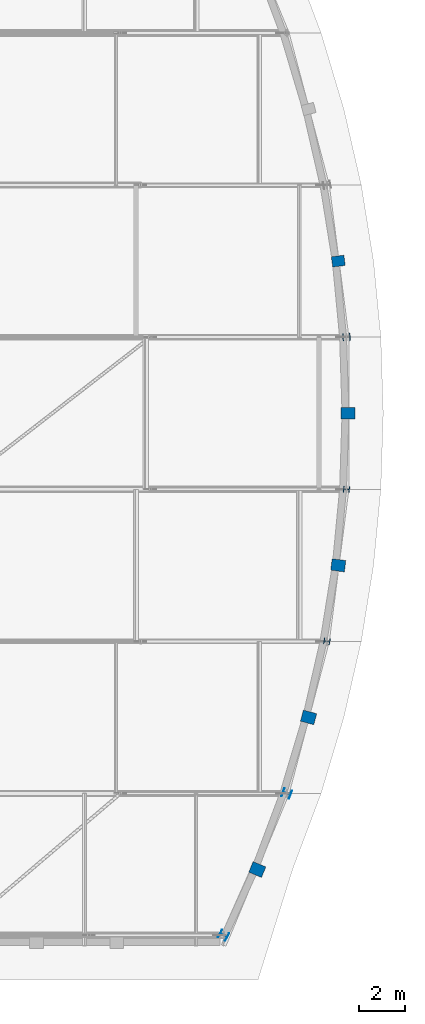
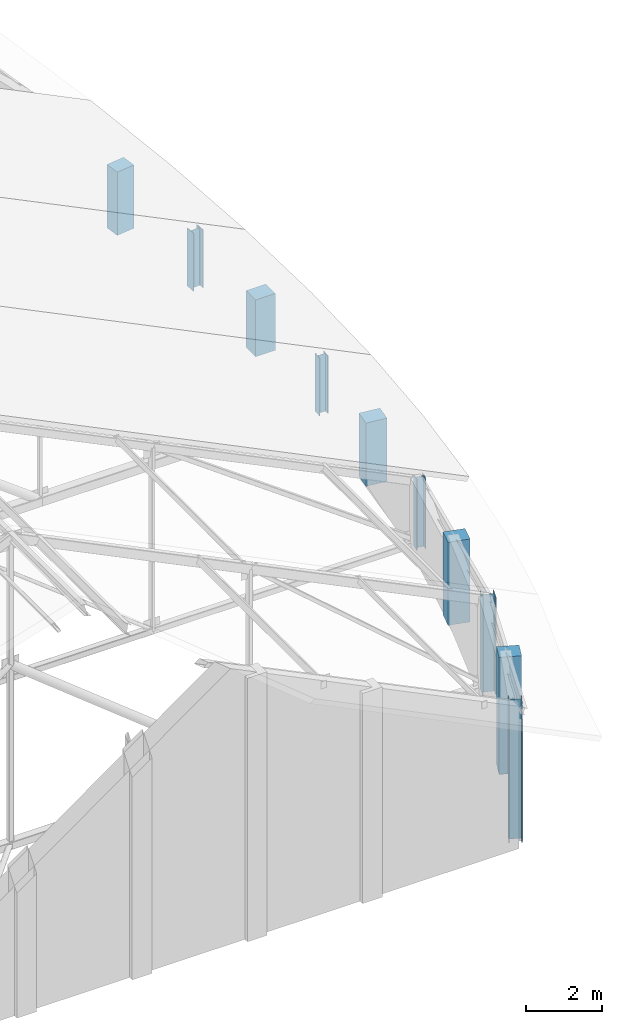
# One storey, part 11 of 78: 10 columns.
"""IFC4 building model written with IfcOpenShell, lengths in metres."""

from ifc_helpers import new_model, si_unit, direction, frame, origin, origin_2d, place, context, subcontext, project, spatial, rectangle, i_section, extrude, material, material_profile, profile_set, type_object, element, save


model = new_model("IFC4")

# Units and contexts
model_context = context("Model", 3, precision=1e-05, world=origin(), true_north=direction((0.0, 1.0)))
body_context = subcontext(model_context, "Body", "Model", "MODEL_VIEW")
ifc_project = project(units=[si_unit("LENGTHUNIT", "METRE"), si_unit("AREAUNIT", "SQUARE_METRE"), si_unit("VOLUMEUNIT", "CUBIC_METRE"), si_unit("PLANEANGLEUNIT", "RADIAN"), si_unit("MASSUNIT", "GRAM", prefix="KILO")], contexts=[model_context])

# Site, building, storey
site_placement = place(None, origin())
site = spatial("IfcSite", under=ifc_project, at=site_placement, CompositionType="ELEMENT")
building_placement = place(site_placement, origin())
building = spatial("IfcBuilding", under=site, at=building_placement, Name="Kelanivale Promenade Academy", CompositionType="ELEMENT")
storey_placement = place(building_placement, frame((0.0, 0.0, 16.199951171875)))
storey = spatial("IfcBuildingStorey", under=building, at=storey_placement, Name="L04", CompositionType="ELEMENT", Elevation=16.199951171875)

# Columns
ifc_material_1 = material(Name="Concrete C40/50", Category="concrete")
ifc_material_profile_1 = material_profile(ifc_material_1, rectangle(XDim=0.449951171875, YDim=0.550048828125, at=origin_2d()), Name="RC-PIL 450x550")
ifc_profile_set_1 = profile_set([ifc_material_profile_1], Name="Concrete C40/50")
column_type_1 = type_object("IfcColumnType", Name="PL-17 RC-PIL 450x550", PredefinedType="PILASTER", material=ifc_profile_set_1)
column_1_placement = place(storey_placement, frame((155.93603515625, 62.8291015625, 0.0), z_axis=(0.0, 0.0, 1.0), x_axis=(-0.12741083733, 0.991850028246, 0.0)))
element("IfcColumn", 1, at=column_1_placement, inside=storey, type_object=column_type_1, Name="Column PL-17 at (155.9, 62.8) L04", PredefinedType="PILASTER", context=body_context, shape_type="SweptSolid", body=[
    extrude(rectangle(XDim=0.449951171875, YDim=0.550048828125, at=origin_2d()), origin(), (0.0, 0.0, 1.0), 2.029052734375),
])
ifc_material_profile_2 = material_profile(ifc_material_1, rectangle(XDim=0.5, YDim=0.60009765625, at=origin_2d()), Name="RC-PIL 500x600")
ifc_profile_set_2 = profile_set([ifc_material_profile_2], Name="Concrete C40/50")
column_type_2 = type_object("IfcColumnType", Name="PL-18 RC-PIL 500x600", PredefinedType="PILASTER", material=ifc_profile_set_2)
column_2_placement = place(storey_placement, frame((152.406982421875, 36.31396484375, 0.0), z_axis=(0.0, 0.0, 1.0), x_axis=(0.382360914263, 0.92401305794, 0.0)))
element("IfcColumn", 2, at=column_2_placement, inside=storey, type_object=column_type_2, Name="Column PL-18 at (152.4, 36.3) L04", PredefinedType="PILASTER", context=body_context, shape_type="SweptSolid", body=[
    extrude(rectangle(XDim=0.5, YDim=0.60009765625, at=origin_2d()), origin(), (0.0, 0.0, 1.0), 3.751953125),
])
column_3_placement = place(storey_placement, frame((154.64208984375, 42.943115234375, 0.0), z_axis=(0.0, 0.0, 1.0), x_axis=(0.2549394954, 0.966957007154, 0.0)))
element("IfcColumn", 3, at=column_3_placement, inside=storey, type_object=column_type_2, Name="Column PL-18 at (154.6, 42.9) L04", PredefinedType="PILASTER", context=body_context, shape_type="SweptSolid", body=[
    extrude(rectangle(XDim=0.5, YDim=0.60009765625, at=origin_2d()), origin(), (0.0, 0.0, 1.0), 2.6611328125),
])
column_4_placement = place(storey_placement, frame((155.93603515625, 49.571044921875, 0.0), z_axis=(0.0, 0.0, 1.0), x_axis=(0.12741083733, 0.991850028246, 0.0)))
element("IfcColumn", 4, at=column_4_placement, inside=storey, type_object=column_type_2, Name="Column PL-18 at (155.9, 49.6) L04", PredefinedType="PILASTER", context=body_context, shape_type="SweptSolid", body=[
    extrude(rectangle(XDim=0.5, YDim=0.60009765625, at=origin_2d()), origin(), (0.0, 0.0, 1.0), 2.029052734375),
])
column_5_placement = place(storey_placement, frame((156.360107421875, 56.199951171875, 0.0), z_axis=(0.0, 0.0, 1.0), x_axis=(0.0, 1.0, 0.0)))
element("IfcColumn", 5, at=column_5_placement, inside=storey, type_object=column_type_2, Name="Column PL-18 at (156.4, 56.2) L04", PredefinedType="PILASTER", context=body_context, shape_type="SweptSolid", body=[
    extrude(rectangle(XDim=0.5, YDim=0.60009765625, at=origin_2d()), origin(), (0.0, 0.0, 1.0), 1.822021484375),
])
ifc_material_2 = material(Name="Steel S355", Category="steel")
ifc_material_profile_3 = material_profile(ifc_material_2, i_section(OverallWidth=0.25634765625, OverallDepth=0.26025390625, WebThickness=0.01025390625, FlangeThickness=0.017333984375, FilletRadius=0.0126953125, at=origin_2d()), Name="UC 254x254x89")
ifc_profile_set_3 = profile_set([ifc_material_profile_3], Name="Steel S355")
column_type_3 = type_object("IfcColumnType", Name="SC-03 UC 254x254x89", PredefinedType="COLUMN", material=ifc_profile_set_3)
column_6_placement = place(storey_placement, frame((155.44091796875, 46.257080078125, 0.0), z_axis=(0.0, 0.0, 1.0), x_axis=(0.191151636272, 0.981560518741, 0.0)))
element("IfcColumn", 6, at=column_6_placement, inside=storey, type_object=column_type_3, Name="Column SC-03 at (155.4, 46.3) L04", PredefinedType="COLUMN", context=body_context, shape_type="SweptSolid", body=[
    extrude(i_section(OverallWidth=0.25634765625, OverallDepth=0.26025390625, WebThickness=0.01025390625, FlangeThickness=0.017333984375, FilletRadius=0.0126953125, at=origin_2d()), origin(), (0.0, 0.0, 1.0), 2.27001953125),
])
column_7_placement = place(storey_placement, frame((156.2939453125, 52.885986328125, 0.0), z_axis=(0.0, 0.0, 1.0), x_axis=(0.063661438132, 0.99797155335, 0.0)))
element("IfcColumn", 7, at=column_7_placement, inside=storey, type_object=column_type_3, Name="Column SC-03 at (156.3, 52.9) L04", PredefinedType="COLUMN", context=body_context, shape_type="SweptSolid", body=[
    extrude(i_section(OverallWidth=0.25634765625, OverallDepth=0.26025390625, WebThickness=0.01025390625, FlangeThickness=0.017333984375, FilletRadius=0.0126953125, at=origin_2d()), origin(), (0.0, 0.0, 1.0), 1.85400390625),
])
ifc_material_profile_4 = material_profile(ifc_material_2, i_section(OverallWidth=0.307373046875, OverallDepth=0.314453125, WebThickness=0.011962890625, FlangeThickness=0.018798828125, FilletRadius=0.01513671875, at=origin_2d()), Name="UC 305x305x118")
ifc_profile_set_4 = profile_set([ifc_material_profile_4], Name="Steel S355")
column_type_4 = type_object("IfcColumnType", Name="SC-04 UC 305x305x118", PredefinedType="COLUMN", material=ifc_profile_set_4)
column_8_placement = place(storey_placement, frame((156.2939453125, 59.513916015625, 0.0), z_axis=(0.0, 0.0, 1.0), x_axis=(-0.063661438132, 0.99797155335, 0.0)))
element("IfcColumn", 8, at=column_8_placement, inside=storey, type_object=column_type_4, Name="Column SC-04 at (156.3, 59.5) L04", PredefinedType="COLUMN", context=body_context, shape_type="SweptSolid", body=[
    extrude(i_section(OverallWidth=0.307373046875, OverallDepth=0.314453125, WebThickness=0.011962890625, FlangeThickness=0.018798828125, FilletRadius=0.01513671875, at=origin_2d()), origin(), (0.0, 0.0, 1.0), 1.85400390625),
])
ifc_material_profile_5 = material_profile(ifc_material_2, i_section(OverallWidth=0.37060546875, OverallDepth=0.362060546875, WebThickness=0.01220703125, FlangeThickness=0.020751953125, FilletRadius=0.01513671875, at=origin_2d()), Name="UC 356x368x153")
ifc_profile_set_5 = profile_set([ifc_material_profile_5], Name="Steel S355")
column_type_5 = type_object("IfcColumnType", Name="SC-05 UC 356x368x153", PredefinedType="COLUMN", material=ifc_profile_set_5)
column_9_placement = place(storey_placement, frame((150.93798828125, 33.449951171875, 0.0), z_axis=(0.0, 0.0, 1.0), x_axis=(0.44619781311, 0.894934361602, 0.0)))
element("IfcColumn", 9, at=column_9_placement, inside=storey, type_object=column_type_5, Name="Column SC-05 at (150.9, 33.5) L04", PredefinedType="COLUMN", context=body_context, shape_type="SweptSolid", body=[
    extrude(i_section(OverallWidth=0.37060546875, OverallDepth=0.362060546875, WebThickness=0.01220703125, FlangeThickness=0.020751953125, FilletRadius=0.01513671875, at=origin_2d()), origin(), (0.0, 0.0, 1.0), 4.468994140625),
])
column_10_placement = place(storey_placement, frame((153.68896484375, 39.62890625, 0.0), z_axis=(0.0, 0.0, 1.0), x_axis=(0.318628456287, 0.947879690069, 0.0)))
element("IfcColumn", 10, at=column_10_placement, inside=storey, type_object=column_type_5, Name="Column SC-05 at (153.7, 39.6) L04", PredefinedType="COLUMN", context=body_context, shape_type="SweptSolid", body=[
    extrude(i_section(OverallWidth=0.37060546875, OverallDepth=0.362060546875, WebThickness=0.01220703125, FlangeThickness=0.020751953125, FilletRadius=0.01513671875, at=origin_2d()), origin(), (0.0, 0.0, 1.0), 3.1259765625),
])

save(model, "model.ifc")
